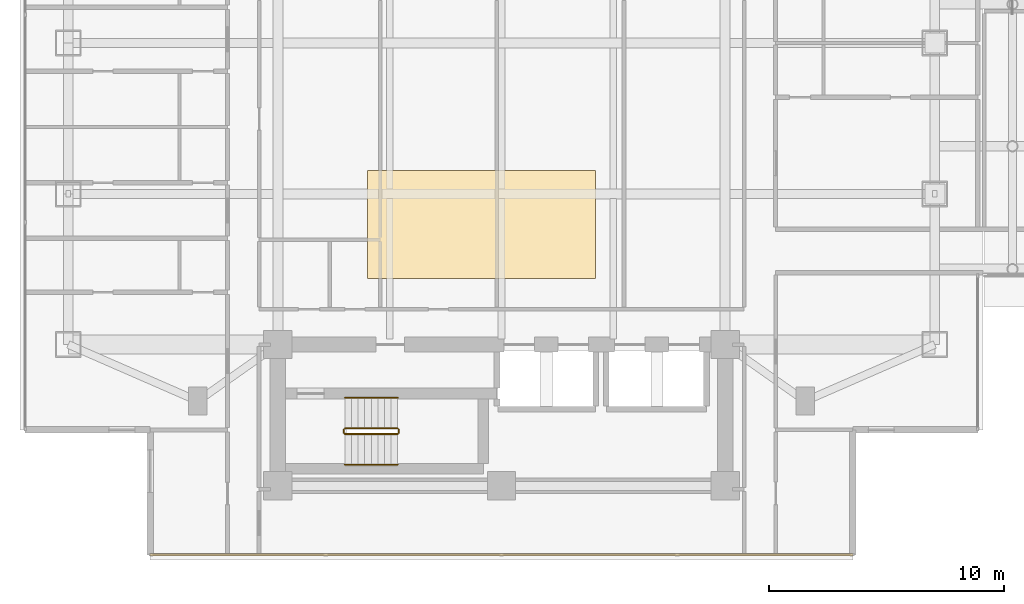
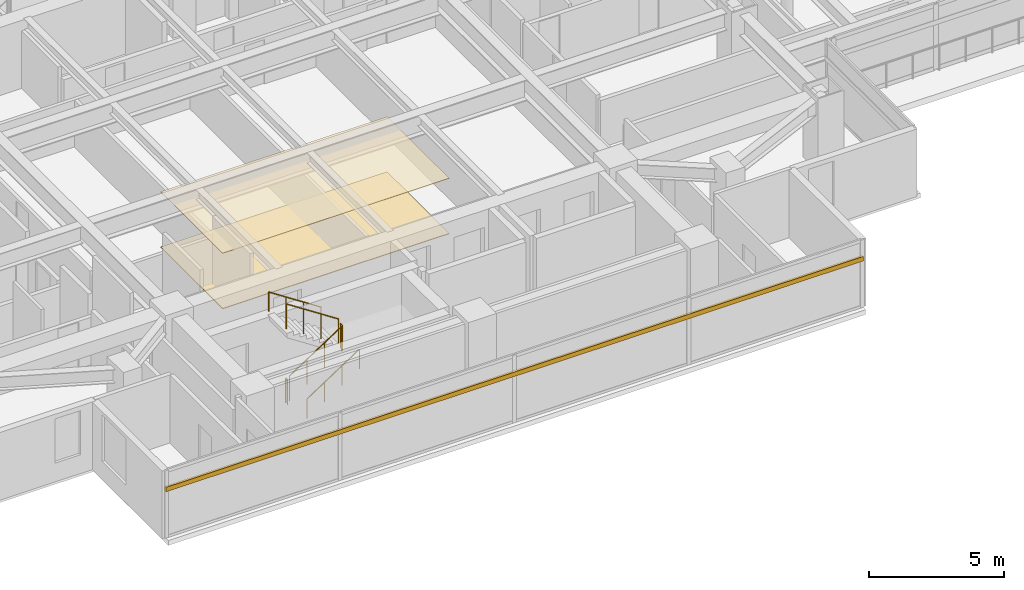
# One storey, part 24 of 29: 6 railings, 2 coverings, 1 shading device.
"""IFC4 building model written with IfcOpenShell, lengths in metres."""

from ifc_helpers import new_model, si_unit, direction, frame, origin, origin_2d, place, context, subcontext, project, spatial, polyline, rectangle, circle, outline, extrude, material, layer, layer_set, material_profile, profile_set, type_object, element, save


model = new_model("IFC4")

# Units and contexts
model_context = context("Model", 3, precision=1e-05, world=origin(), true_north=direction((0.0, 1.0)))
body_context = subcontext(model_context, "Body", "Model", "MODEL_VIEW")
ifc_project = project(units=[si_unit("LENGTHUNIT", "METRE"), si_unit("AREAUNIT", "SQUARE_METRE"), si_unit("VOLUMEUNIT", "CUBIC_METRE"), si_unit("PLANEANGLEUNIT", "RADIAN"), si_unit("MASSUNIT", "GRAM", prefix="KILO")], contexts=[model_context])

# Site, building, storey
site_placement = place(None, origin())
site = spatial("IfcSite", under=ifc_project, at=site_placement, CompositionType="ELEMENT")
building_placement = place(site_placement, origin())
building = spatial("IfcBuilding", under=site, at=building_placement, Name="Mirazonda Arch Towers", CompositionType="ELEMENT")
storey_placement = place(building_placement, frame((0.0, 0.0, 88.39990234375)))
storey = spatial("IfcBuildingStorey", under=building, at=storey_placement, Name="L24", CompositionType="ELEMENT", Elevation=88.39990234375)

# Shading device
ifc_material_1 = material(Name="Kiln-Fired Architectural Terracotta", Category="masonry")
ifc_material_profile = material_profile(ifc_material_1, rectangle(XDim=0.10009765625, YDim=0.199951171875, at=origin_2d()), Name="TERRA-BAG-100x200")
ifc_profile_set = profile_set([ifc_material_profile], Name="Kiln-Fired Architectural Terracotta")
shading_device_type = type_object("IfcShadingDeviceType", Name="BAGUETTE-2", PredefinedType="USERDEFINED", material=ifc_profile_set)
shading_device_placement = place(storey_placement, frame((35.425048828125, 9.469970703125, 2.203369140625), z_axis=(-1.0, 0.0, 0.0), x_axis=(0.0, -1.0, 0.0)))
element("IfcShadingDevice", 1, at=shading_device_placement, inside=storey, type_object=shading_device_type, Name="L24 Glazed Terracotta Sun-Screen Baguette CW-L24-T1-S", ObjectType="BAGUETTE", PredefinedType="USERDEFINED", context=body_context, shape_type="SweptSolid", body=[
    extrude(rectangle(XDim=0.10009765625, YDim=0.199951171875, at=origin_2d()), origin(), (0.0, 0.0, 1.0), 29.85009765625),
])

# Coverings
ifc_material_2 = material(Name="Acoustic Mineral Fibre Ceiling")
ifc_layer_1 = layer(ifc_material_2, 0.02490234375, Name="COV-CEIL-ACOUSTIC")
ifc_layer_set_1 = layer_set([ifc_layer_1], Name="Acoustic Mineral Fibre Ceiling")
covering_type_1 = type_object("IfcCoveringType", Name="COV-CEIL-ACOUSTIC", PredefinedType="CEILING", material=ifc_layer_set_1)
covering_1_placement = place(storey_placement, frame((0.0, 0.0, 2.505126953125)))
element("IfcCovering", 2, at=covering_1_placement, inside=storey, type_object=covering_type_1, Name="L24 Suspended Acoustic Ceiling", PredefinedType="CEILING", context=body_context, shape_type="SweptSolid", body=[
    extrude(outline(polyline([(14.800048828125, 21.199951171875), (24.5, 21.199951171875), (24.5, 25.800048828125), (14.800048828125, 25.800048828125), (14.800048828125, 21.199951171875)])), origin(), (0.0, 0.0, 1.0), 0.02490234375),
])
ifc_material_3 = material(Name="Polished Terrazzo Stone Finish", Category="masonry")
ifc_layer_2 = layer(ifc_material_3, 0.030029296875, Name="COV-FLOOR-STONE")
ifc_layer_set_2 = layer_set([ifc_layer_2], Name="Polished Terrazzo Stone Finish")
covering_type_2 = type_object("IfcCoveringType", Name="COV-FLOOR-STONE", PredefinedType="FLOORING", material=ifc_layer_set_2)
covering_2_placement = place(storey_placement, origin())
element("IfcCovering", 3, at=covering_2_placement, inside=storey, type_object=covering_type_2, Name="L24 Polished Terrazzo Lobby Flooring", PredefinedType="FLOORING", context=body_context, shape_type="SweptSolid", body=[
    extrude(outline(polyline([(14.800048828125, 21.199951171875), (24.5, 21.199951171875), (24.5, 25.800048828125), (14.800048828125, 25.800048828125), (14.800048828125, 21.199951171875)])), origin(), (0.0, 0.0, 1.0), 0.030029296875),
])

# Railings
ifc_material_4 = material(Name="Architectural Brushed Steel S355", Category="steel")
railing_type_1 = type_object("IfcRailingType", Name="GUARD-STAIR-1120", PredefinedType="GUARDRAIL", material=ifc_material_4)
railing_1_placement = place(storey_placement, frame((13.85009765625, 14.60009765625, 0.183349609375)))
element("IfcRailing", 4, at=railing_1_placement, inside=storey, type_object=railing_type_1, Name="L24 ST-T1S stair guard 1", PredefinedType="GUARDRAIL", context=body_context, shape_type="SweptSolid", body=[
    extrude(circle(Radius=0.02392578125, at=origin_2d()), frame((0.0, 0.0, 1.1259765625), z_axis=(0.836595146698, 0.0, 0.547821650285), x_axis=(0.0, 1.0, 0.0)), (0.0, 0.0, 1.0), 2.677490234375),
    extrude(circle(Radius=0.02099609375, at=origin_2d()), origin(), (0.0, 0.0, 1.0), 1.101806640625),
    extrude(circle(Radius=0.02099609375, at=origin_2d()), frame((0.74658203125, 0.0, 0.489013671875)), (0.0, 0.0, 1.0), 1.101806640625),
    extrude(circle(Radius=0.02099609375, at=origin_2d()), frame((1.493408203125, 0.0, 0.977783203125)), (0.0, 0.0, 1.0), 1.101806640625),
    extrude(circle(Radius=0.02099609375, at=origin_2d()), frame((2.239990234375, 0.0, 1.466796875)), (0.0, 0.0, 1.0), 1.101806640625),
])
railing_2_placement = place(storey_placement, frame((16.139892578125, 14.64990234375, 1.650146484375)))
element("IfcRailing", 5, at=railing_2_placement, inside=storey, type_object=railing_type_1, Name="L24 ST-T1S stair guard 2", PredefinedType="GUARDRAIL", context=body_context, shape_type="SweptSolid", body=[
    extrude(circle(Radius=0.02392578125, at=origin_2d()), frame((0.0, 0.0, 1.1259765625), z_axis=(0.0, 1.0, 0.0), x_axis=(-1.0, 0.0, 0.0)), (0.0, 0.0, 1.0), 0.14013671875),
    extrude(circle(Radius=0.02099609375, at=origin_2d()), origin(), (0.0, 0.0, 1.0), 1.101806640625),
    extrude(circle(Radius=0.02099609375, at=origin_2d()), frame((0.0, 0.14013671875, 0.0)), (0.0, 0.0, 1.0), 1.101806640625),
])
railing_3_placement = place(storey_placement, frame((16.090087890625, 14.840087890625, 1.83349609375)))
element("IfcRailing", 6, at=railing_3_placement, inside=storey, type_object=railing_type_1, Name="L24 ST-T1S stair guard 3", PredefinedType="GUARDRAIL", context=body_context, shape_type="SweptSolid", body=[
    extrude(circle(Radius=0.02392578125, at=origin_2d()), frame((0.0, 0.0, 1.1259765625), z_axis=(-0.836636935527, 0.0, 0.547757827979), x_axis=(0.0, -1.0, 0.0)), (0.0, 0.0, 1.0), 2.677490234375),
    extrude(circle(Radius=0.02099609375, at=origin_2d()), origin(), (0.0, 0.0, 1.0), 1.101806640625),
    extrude(circle(Radius=0.02099609375, at=origin_2d()), frame((-0.74658203125, 0.0, 0.48876953125)), (0.0, 0.0, 1.0), 1.101806640625),
    extrude(circle(Radius=0.02099609375, at=origin_2d()), frame((-1.493408203125, 0.0, 0.977783203125)), (0.0, 0.0, 1.0), 1.101806640625),
    extrude(circle(Radius=0.02099609375, at=origin_2d()), frame((-2.239990234375, 0.0, 1.466552734375)), (0.0, 0.0, 1.0), 1.101806640625),
])
railing_4_placement = place(storey_placement, frame((13.800048828125, 14.64990234375, 0.0)))
element("IfcRailing", 7, at=railing_4_placement, inside=storey, type_object=railing_type_1, Name="L24 ST-T1S stair guard 4", PredefinedType="GUARDRAIL", context=body_context, shape_type="SweptSolid", body=[
    extrude(circle(Radius=0.02392578125, at=origin_2d()), frame((0.0, 0.0, 1.1259765625), z_axis=(0.0, 1.0, 0.0), x_axis=(-1.0, 0.0, 0.0)), (0.0, 0.0, 1.0), 0.14013671875),
    extrude(circle(Radius=0.02099609375, at=origin_2d()), origin(), (0.0, 0.0, 1.0), 1.101806640625),
    extrude(circle(Radius=0.02099609375, at=origin_2d()), frame((0.0, 0.14013671875, 0.0)), (0.0, 0.0, 1.0), 1.101806640625),
])
railing_type_2 = type_object("IfcRailingType", Name="HANDRAIL-915", PredefinedType="HANDRAIL", material=ifc_material_4)
railing_5_placement = place(storey_placement, frame((13.85009765625, 13.300048828125, 0.183349609375)))
element("IfcRailing", 8, at=railing_5_placement, inside=storey, type_object=railing_type_2, Name="L24 ST-T1S stair handrail 1", PredefinedType="HANDRAIL", context=body_context, shape_type="SweptSolid", body=[
    extrude(circle(Radius=0.02392578125, at=origin_2d()), frame((0.0, 0.0, 0.8759765625), z_axis=(0.836595146698, 0.0, 0.547821650285), x_axis=(0.0, 1.0, 0.0)), (0.0, 0.0, 1.0), 2.677490234375),
    extrude(circle(Radius=0.02099609375, at=origin_2d()), origin(), (0.0, 0.0, 1.0), 0.851806640625),
    extrude(circle(Radius=0.02099609375, at=origin_2d()), frame((0.74658203125, 0.0, 0.489013671875)), (0.0, 0.0, 1.0), 0.851806640625),
    extrude(circle(Radius=0.02099609375, at=origin_2d()), frame((1.493408203125, 0.0, 0.977783203125)), (0.0, 0.0, 1.0), 0.851806640625),
    extrude(circle(Radius=0.02099609375, at=origin_2d()), frame((2.239990234375, 0.0, 1.466796875)), (0.0, 0.0, 1.0), 0.851806640625),
])
railing_6_placement = place(storey_placement, frame((16.090087890625, 16.139892578125, 1.83349609375)))
element("IfcRailing", 9, at=railing_6_placement, inside=storey, type_object=railing_type_2, Name="L24 ST-T1S stair handrail 2", PredefinedType="HANDRAIL", context=body_context, shape_type="SweptSolid", body=[
    extrude(circle(Radius=0.02392578125, at=origin_2d()), frame((0.0, 0.0, 0.8759765625), z_axis=(-0.836636935527, 0.0, 0.547757827979), x_axis=(0.0, -1.0, 0.0)), (0.0, 0.0, 1.0), 2.677490234375),
    extrude(circle(Radius=0.02099609375, at=origin_2d()), origin(), (0.0, 0.0, 1.0), 0.851806640625),
    extrude(circle(Radius=0.02099609375, at=origin_2d()), frame((-0.74658203125, 0.0, 0.48876953125)), (0.0, 0.0, 1.0), 0.851806640625),
    extrude(circle(Radius=0.02099609375, at=origin_2d()), frame((-1.493408203125, 0.0, 0.977783203125)), (0.0, 0.0, 1.0), 0.851806640625),
    extrude(circle(Radius=0.02099609375, at=origin_2d()), frame((-2.239990234375, 0.0, 1.466552734375)), (0.0, 0.0, 1.0), 0.851806640625),
])

save(model, "model.ifc")
